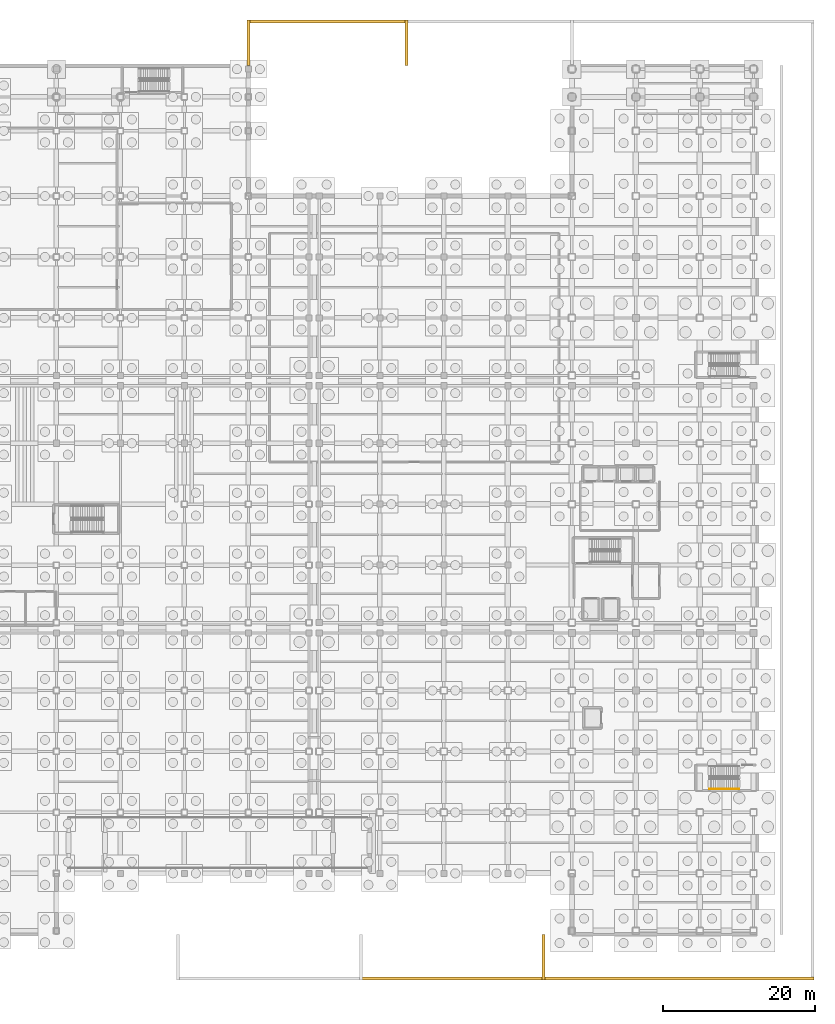
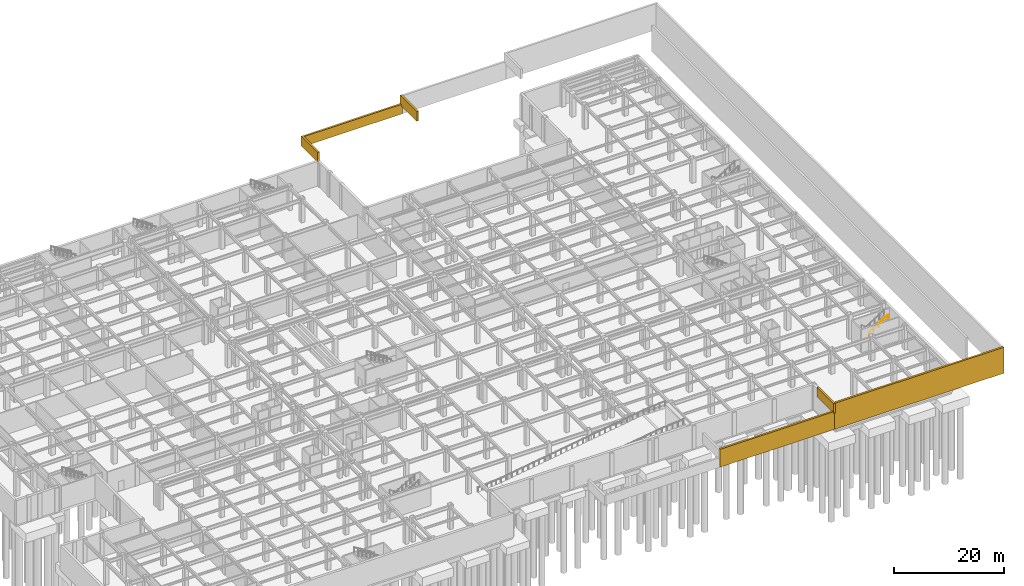
# One storey, part 50 of 55: 6 coverings, 1 railing.
"""IFC4 building model written with IfcOpenShell, lengths in metres."""

from ifc_helpers import new_model, si_unit, direction, frame, frame_2d, origin, origin_2d, place, context, subcontext, project, spatial, rectangle, circle, extrude, material, layer, layer_set, type_object, element, save


model = new_model("IFC4")

# Units and contexts
model_context = context("Model", 3, precision=1e-05, world=origin(), true_north=direction((0.0, 1.0)))
body_context = subcontext(model_context, "Body", "Model", "MODEL_VIEW")
ifc_project = project(units=[si_unit("LENGTHUNIT", "METRE"), si_unit("AREAUNIT", "SQUARE_METRE"), si_unit("VOLUMEUNIT", "CUBIC_METRE"), si_unit("PLANEANGLEUNIT", "RADIAN"), si_unit("MASSUNIT", "GRAM", prefix="KILO")], contexts=[model_context])

# Site, building, storey
site_placement = place(None, origin())
site = spatial("IfcSite", under=ifc_project, at=site_placement, CompositionType="ELEMENT")
building_placement = place(site_placement, origin())
building = spatial("IfcBuilding", under=site, at=building_placement, Name="Kazehara Bluff Congress Hotel", CompositionType="ELEMENT")
storey_placement = place(building_placement, frame((0.0, 0.0, -5.39990234375)))
storey = spatial("IfcBuildingStorey", under=building, at=storey_placement, Name="B1", CompositionType="ELEMENT", Elevation=-5.39990234375)

# Railing
ifc_material_1 = material(Name="Brushed stainless steel", Category="steel")
railing_type = type_object("IfcRailingType", Name="TP-HR-INT", PredefinedType="HANDRAIL", material=ifc_material_1)
railing_placement = place(storey_placement, frame((161.72998046875, 19.050048828125, 2.8798828125)))
element("IfcRailing", 1, at=railing_placement, inside=storey, type_object=railing_type, Name="B1 ST-10 stair handrail 2", PredefinedType="HANDRAIL", context=body_context, shape_type="SweptSolid", body=[
    extrude(circle(Radius=0.02392578125, at=origin_2d()), frame((0.0, 0.0, 0.8759765625), z_axis=(0.841171666519, 0.0, 0.540768182723), x_axis=(0.0, 1.0, 0.0)), (0.0, 0.0, 1.0), 4.66015625),
    extrude(circle(Radius=0.02099609375, at=origin_2d()), origin(), (0.0, 0.0, 1.0), 0.851806640625),
    extrude(circle(Radius=0.02099609375, at=origin_2d()), frame((0.97998046875, 0.0, 0.6298828125)), (0.0, 0.0, 1.0), 0.851806640625),
    extrude(circle(Radius=0.02099609375, at=origin_2d()), frame((1.9599609375, 0.0, 1.260009765625)), (0.0, 0.0, 1.0), 0.851806640625),
    extrude(circle(Radius=0.02099609375, at=origin_2d()), frame((2.93994140625, 0.0, 1.89013671875)), (0.0, 0.0, 1.0), 0.851806640625),
    extrude(circle(Radius=0.02099609375, at=origin_2d()), frame((3.919921875, 0.0, 2.52001953125)), (0.0, 0.0, 1.0), 0.851806640625),
])

# Coverings
ifc_material_2 = material(Name="Granite ashlar bluff retaining facing", Category="masonry")
ifc_layer = layer(ifc_material_2, 0.39990234375)
ifc_layer_set = layer_set([ifc_layer], Name="Granite ashlar bluff retaining facing")
covering_type = type_object("IfcCoveringType", Name="TP-SITE-SKT", PredefinedType="CLADDING", material=ifc_layer_set)
covering_1_placement = place(storey_placement, frame((116.0, -5.800048828125, 5.0498046875), z_axis=(0.0, 0.0, 1.0), x_axis=(1.0, 0.0, 0.0)))
element("IfcCovering", 2, at=covering_1_placement, inside=storey, type_object=covering_type, Name="Osaka bluff granite earthwork retaining facing SKT-S3", PredefinedType="CLADDING", context=body_context, shape_type="SweptSolid", body=[
    extrude(rectangle(XDim=24.0, YDim=0.39990234375, at=frame_2d((12.0, 0.0))), origin(), (0.0, 0.0, 1.0), 3.9501953125),
])
covering_2_placement = place(storey_placement, frame((140.0, -5.800048828125, 5.0498046875), z_axis=(0.0, 0.0, 1.0), x_axis=(1.0, 0.0, 0.0)))
element("IfcCovering", 3, at=covering_2_placement, inside=storey, type_object=covering_type, Name="Osaka bluff granite earthwork retaining facing SKT-S4", PredefinedType="CLADDING", context=body_context, shape_type="SweptSolid", body=[
    extrude(rectangle(XDim=35.5, YDim=0.39990234375, at=frame_2d((17.75, 0.0))), origin(), (0.0, 0.0, 1.0), 5.75),
])
covering_3_placement = place(storey_placement, frame((140.0, -6.0, 8.64990234375), z_axis=(0.0, 0.0, 1.0), x_axis=(0.0, 1.0, 0.0)))
element("IfcCovering", 4, at=covering_3_placement, inside=storey, type_object=covering_type, Name="Osaka bluff granite earthwork retaining facing SKT-S4R", PredefinedType="CLADDING", context=body_context, shape_type="SweptSolid", body=[
    extrude(rectangle(XDim=6.0, YDim=0.39990234375, at=frame_2d((3.0, 0.0))), origin(), (0.0, 0.0, 1.0), 2.14990234375),
])
covering_4_placement = place(storey_placement, frame((101.25, 119.800048828125, 5.0498046875), z_axis=(0.0, 0.0, 1.0), x_axis=(1.0, 0.0, 0.0)))
element("IfcCovering", 5, at=covering_4_placement, inside=storey, type_object=covering_type, Name="Osaka bluff granite earthwork retaining facing SKT-N2", PredefinedType="CLADDING", context=body_context, shape_type="SweptSolid", body=[
    extrude(rectangle(XDim=20.75, YDim=0.39990234375, at=frame_2d((10.375, 0.0))), origin(), (0.0, 0.0, 1.0), 2.150146484375),
])
for number, where, z_axis, x_axis, name in (
    (6, (101.25, 114.0, 5.0498046875), (0.0, 0.0, 1.0), (0.0, 1.0, 0.0), "Osaka bluff granite earthwork retaining facing SKT-N2R"),
    (7, (122.0, 114.0, 6.849853515625), (0.0, 0.0, 1.0), (0.0, 1.0, 0.0), "Osaka bluff granite earthwork retaining facing SKT-N3R"),
):
    element("IfcCovering", number, at=place(storey_placement, frame(where, z_axis=z_axis, x_axis=x_axis)), inside=storey, type_object=covering_type, Name=name, PredefinedType="CLADDING", context=body_context, shape_type="SweptSolid", body=[
        extrude(rectangle(XDim=6.0, YDim=0.39990234375, at=frame_2d((3.0, 0.0))), origin(), (0.0, 0.0, 1.0), 2.150146484375),
    ])

save(model, "model.ifc")
